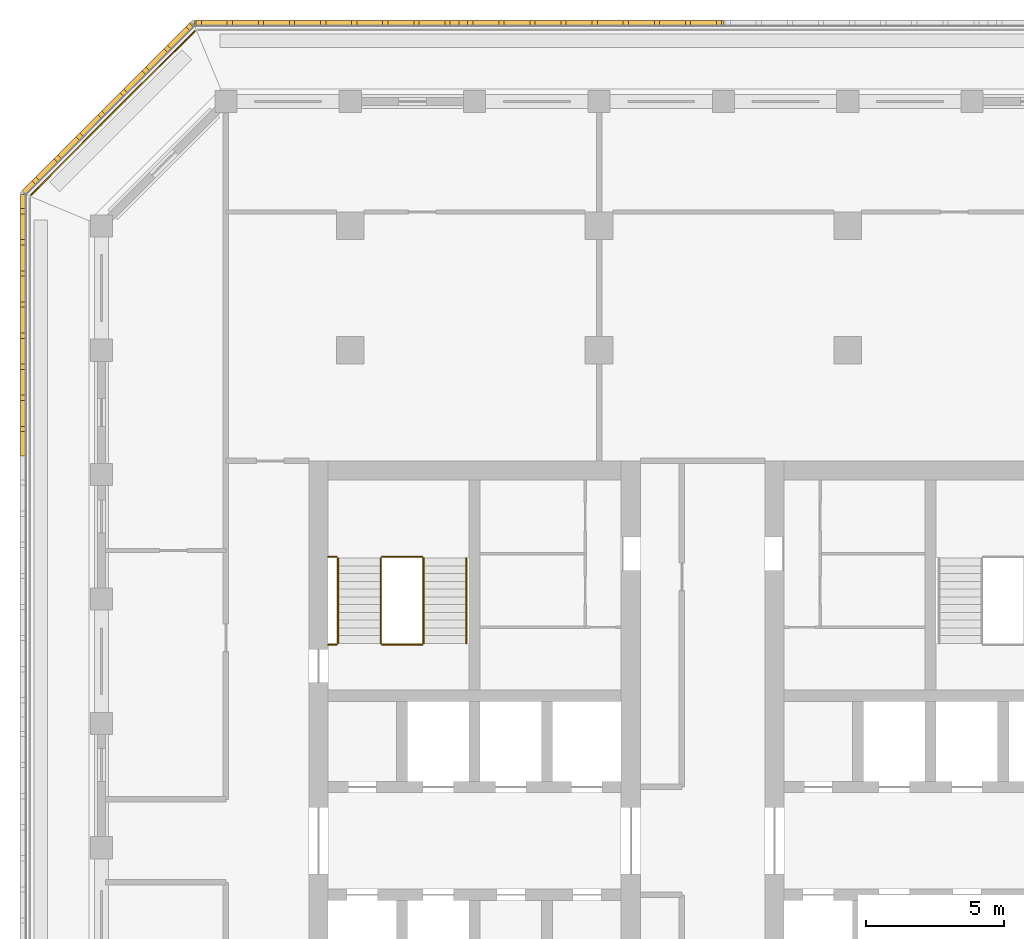
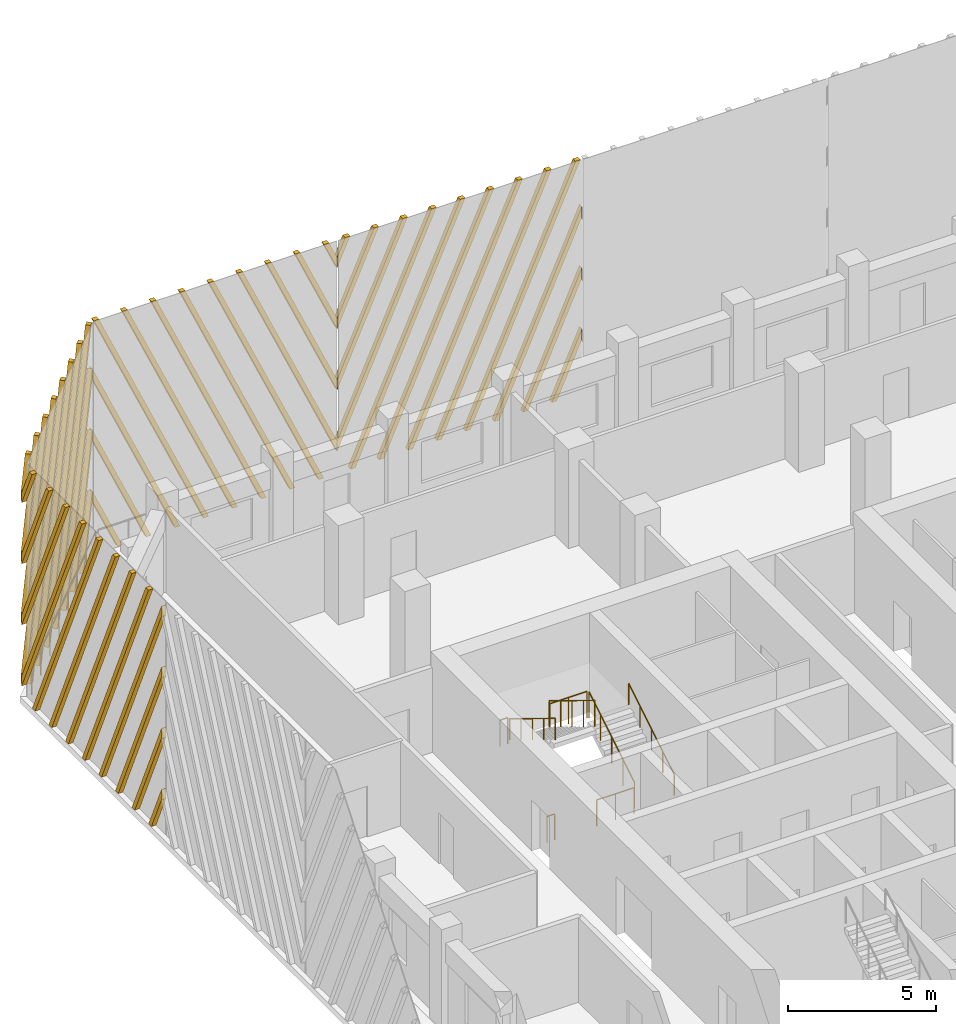
# One storey, part 14 of 17: 9 railings, 4 shading devices.
"""IFC4 building model written with IfcOpenShell, lengths in metres."""

from ifc_helpers import new_model, si_unit, direction, frame, origin, origin_2d, place, context, subcontext, project, spatial, polyline, circle, outline, extrude, source, transform, mapped, material, type_object, element, save


model = new_model("IFC4")

# Units and contexts
model_context = context("Model", 3, precision=1e-05, world=origin(), true_north=direction((0.0, 1.0)))
body_context = subcontext(model_context, "Body", "Model", "MODEL_VIEW")
ifc_project = project(units=[si_unit("LENGTHUNIT", "METRE"), si_unit("AREAUNIT", "SQUARE_METRE"), si_unit("VOLUMEUNIT", "CUBIC_METRE"), si_unit("PLANEANGLEUNIT", "RADIAN"), si_unit("MASSUNIT", "GRAM", prefix="KILO")], contexts=[model_context])

# Site, building, storey
site_placement = place(None, origin())
site = spatial("IfcSite", under=ifc_project, at=site_placement, CompositionType="ELEMENT")
building_placement = place(site_placement, origin())
building = spatial("IfcBuilding", under=site, at=building_placement, Name="Corbel Stack Research Tower", CompositionType="ELEMENT")
storey_placement = place(building_placement, frame((0.0, 0.0, 256.199951171875)))
storey = spatial("IfcBuildingStorey", under=building, at=storey_placement, Name="L58", CompositionType="ELEMENT", Elevation=256.199951171875)

# Railings
ifc_material_1 = material(Name="Steel S355", Category="steel")
railing_type_1 = type_object("IfcRailingType", Name="Stair guard 1100", PredefinedType="GUARDRAIL", material=ifc_material_1)
railing_1_placement = place(storey_placement, frame((-6.35009765625, 11.89990234375, 0.1708984375)))
element("IfcRailing", 1, at=railing_1_placement, inside=storey, type_object=railing_type_1, Name="L58 ST-W2 stair guard 1", PredefinedType="GUARDRAIL", context=body_context, shape_type="SweptSolid", body=[
    extrude(circle(Radius=0.02392578125, at=origin_2d()), frame((0.0, 0.0, 1.076171875), z_axis=(0.0, 0.853666305674, 0.52082035152), x_axis=(-1.0, 0.0, 0.0)), (0.0, 0.0, 1.0), 3.608154296875),
    extrude(circle(Radius=0.02099609375, at=origin_2d()), origin(), (0.0, 0.0, 1.0), 1.052001953125),
    extrude(circle(Radius=0.02099609375, at=origin_2d()), frame((0.0, 0.77001953125, 0.4697265625)), (0.0, 0.0, 1.0), 1.052001953125),
    extrude(circle(Radius=0.02099609375, at=origin_2d()), frame((0.0, 1.5400390625, 0.939453125)), (0.0, 0.0, 1.0), 1.052001953125),
    extrude(circle(Radius=0.02099609375, at=origin_2d()), frame((0.0, 2.31005859375, 1.409423828125)), (0.0, 0.0, 1.0), 1.052001953125),
    extrude(circle(Radius=0.02099609375, at=origin_2d()), frame((0.0, 3.080078125, 1.879150390625)), (0.0, 0.0, 1.0), 1.052001953125),
])
railing_2_placement = place(storey_placement, frame((-6.39990234375, 15.030029296875, 2.050048828125)))
element("IfcRailing", 2, at=railing_2_placement, inside=storey, type_object=railing_type_1, Name="L58 ST-W2 stair guard 2", PredefinedType="GUARDRAIL", context=body_context, shape_type="SweptSolid", body=[
    extrude(circle(Radius=0.02392578125, at=origin_2d()), frame((0.0, 0.0, 1.076171875), z_axis=(-1.0, 0.0, 0.0), x_axis=(0.0, -1.0, 0.0)), (0.0, 0.0, 1.0), 1.4501953125),
    extrude(circle(Radius=0.02099609375, at=origin_2d()), origin(), (0.0, 0.0, 1.0), 1.052001953125),
    extrude(circle(Radius=0.02099609375, at=origin_2d()), frame((-0.72509765625, 0.0, 0.0)), (0.0, 0.0, 1.0), 1.052001953125),
    extrude(circle(Radius=0.02099609375, at=origin_2d()), frame((-1.4501953125, 0.0, 0.0)), (0.0, 0.0, 1.0), 1.052001953125),
])
railing_3_placement = place(storey_placement, frame((-9.5, 15.030029296875, 2.050048828125)))
element("IfcRailing", 3, at=railing_3_placement, inside=storey, type_object=railing_type_1, Name="L58 ST-W2 stair guard 3", PredefinedType="GUARDRAIL", context=body_context, shape_type="SweptSolid", body=[
    extrude(circle(Radius=0.02392578125, at=origin_2d()), frame((0.0, 0.0, 1.076171875), z_axis=(-1.0, 0.0, 0.0), x_axis=(0.0, -1.0, 0.0)), (0.0, 0.0, 1.0), 0.300048828125),
    extrude(circle(Radius=0.02099609375, at=origin_2d()), origin(), (0.0, 0.0, 1.0), 1.052001953125),
    extrude(circle(Radius=0.02099609375, at=origin_2d()), frame((-0.300048828125, 0.0, 0.0)), (0.0, 0.0, 1.0), 1.052001953125),
])
railing_4_placement = place(storey_placement, frame((-7.89990234375, 14.97998046875, 2.220947265625)))
element("IfcRailing", 4, at=railing_4_placement, inside=storey, type_object=railing_type_1, Name="L58 ST-W2 stair guard 4", PredefinedType="GUARDRAIL", context=body_context, shape_type="SweptSolid", body=[
    extrude(circle(Radius=0.02392578125, at=origin_2d()), frame((0.0, 0.0, 1.076171875), z_axis=(0.0, -0.853666305674, 0.52082035152), x_axis=(1.0, 0.0, 0.0)), (0.0, 0.0, 1.0), 3.608154296875),
    extrude(circle(Radius=0.02099609375, at=origin_2d()), origin(), (0.0, 0.0, 1.0), 1.052001953125),
    extrude(circle(Radius=0.02099609375, at=origin_2d()), frame((0.0, -0.77001953125, 0.4697265625)), (0.0, 0.0, 1.0), 1.052001953125),
    extrude(circle(Radius=0.02099609375, at=origin_2d()), frame((0.0, -1.5400390625, 0.939453125)), (0.0, 0.0, 1.0), 1.052001953125),
    extrude(circle(Radius=0.02099609375, at=origin_2d()), frame((0.0, -2.31005859375, 1.409423828125)), (0.0, 0.0, 1.0), 1.052001953125),
    extrude(circle(Radius=0.02099609375, at=origin_2d()), frame((0.0, -3.080078125, 1.879150390625)), (0.0, 0.0, 1.0), 1.052001953125),
])
railing_5_placement = place(storey_placement, frame((-6.39990234375, 11.85009765625, 0.0)))
element("IfcRailing", 5, at=railing_5_placement, inside=storey, type_object=railing_type_1, Name="L58 ST-W2 stair guard 5", PredefinedType="GUARDRAIL", context=body_context, shape_type="SweptSolid", body=[
    extrude(circle(Radius=0.02392578125, at=origin_2d()), frame((0.0, 0.0, 1.076171875), z_axis=(-1.0, 0.0, 0.0), x_axis=(0.0, -1.0, 0.0)), (0.0, 0.0, 1.0), 1.4501953125),
    extrude(circle(Radius=0.02099609375, at=origin_2d()), origin(), (0.0, 0.0, 1.0), 1.052001953125),
    extrude(circle(Radius=0.02099609375, at=origin_2d()), frame((-0.72509765625, 0.0, 0.0)), (0.0, 0.0, 1.0), 1.052001953125),
    extrude(circle(Radius=0.02099609375, at=origin_2d()), frame((-1.4501953125, 0.0, 0.0)), (0.0, 0.0, 1.0), 1.052001953125),
])
railing_6_placement = place(storey_placement, frame((-9.5, 11.85009765625, 0.0)))
element("IfcRailing", 6, at=railing_6_placement, inside=storey, type_object=railing_type_1, Name="L58 ST-W2 stair guard 6", PredefinedType="GUARDRAIL", context=body_context, shape_type="SweptSolid", body=[
    extrude(circle(Radius=0.02392578125, at=origin_2d()), frame((0.0, 0.0, 1.076171875), z_axis=(-1.0, 0.0, 0.0), x_axis=(0.0, -1.0, 0.0)), (0.0, 0.0, 1.0), 0.300048828125),
    extrude(circle(Radius=0.02099609375, at=origin_2d()), origin(), (0.0, 0.0, 1.0), 1.052001953125),
    extrude(circle(Radius=0.02099609375, at=origin_2d()), frame((-0.300048828125, 0.0, 0.0)), (0.0, 0.0, 1.0), 1.052001953125),
])
ifc_material_2 = material(Name="Steel S355", Category="steel")
railing_type_2 = type_object("IfcRailingType", Name="Stair handrail 900", PredefinedType="HANDRAIL", material=ifc_material_2)
railing_7_placement = place(storey_placement, frame((-4.800048828125, 11.89990234375, 0.1708984375)))
element("IfcRailing", 7, at=railing_7_placement, inside=storey, type_object=railing_type_2, Name="L58 ST-W2 stair handrail 1", PredefinedType="HANDRAIL", context=body_context, shape_type="SweptSolid", body=[
    extrude(circle(Radius=0.02392578125, at=origin_2d()), frame((0.0, 0.0, 0.8759765625), z_axis=(0.0, 0.853666305674, 0.52082035152), x_axis=(-1.0, 0.0, 0.0)), (0.0, 0.0, 1.0), 3.608154296875),
    extrude(circle(Radius=0.02099609375, at=origin_2d()), origin(), (0.0, 0.0, 1.0), 0.851806640625),
    extrude(circle(Radius=0.02099609375, at=origin_2d()), frame((0.0, 0.77001953125, 0.4697265625)), (0.0, 0.0, 1.0), 0.851806640625),
    extrude(circle(Radius=0.02099609375, at=origin_2d()), frame((0.0, 1.5400390625, 0.939453125)), (0.0, 0.0, 1.0), 0.851806640625),
    extrude(circle(Radius=0.02099609375, at=origin_2d()), frame((0.0, 2.31005859375, 1.409423828125)), (0.0, 0.0, 1.0), 0.851806640625),
    extrude(circle(Radius=0.02099609375, at=origin_2d()), frame((0.0, 3.080078125, 1.879150390625)), (0.0, 0.0, 1.0), 0.851806640625),
])
railing_8_placement = place(storey_placement, frame((-9.449951171875, 14.97998046875, 2.220947265625)))
element("IfcRailing", 8, at=railing_8_placement, inside=storey, type_object=railing_type_2, Name="L58 ST-W2 stair handrail 2", PredefinedType="HANDRAIL", context=body_context, shape_type="SweptSolid", body=[
    extrude(circle(Radius=0.02392578125, at=origin_2d()), frame((0.0, 0.0, 0.8759765625), z_axis=(0.0, -0.853666305674, 0.52082035152), x_axis=(1.0, 0.0, 0.0)), (0.0, 0.0, 1.0), 3.608154296875),
    extrude(circle(Radius=0.02099609375, at=origin_2d()), origin(), (0.0, 0.0, 1.0), 0.851806640625),
    extrude(circle(Radius=0.02099609375, at=origin_2d()), frame((0.0, -0.77001953125, 0.4697265625)), (0.0, 0.0, 1.0), 0.851806640625),
    extrude(circle(Radius=0.02099609375, at=origin_2d()), frame((0.0, -1.5400390625, 0.939453125)), (0.0, 0.0, 1.0), 0.851806640625),
    extrude(circle(Radius=0.02099609375, at=origin_2d()), frame((0.0, -2.31005859375, 1.409423828125)), (0.0, 0.0, 1.0), 0.851806640625),
    extrude(circle(Radius=0.02099609375, at=origin_2d()), frame((0.0, -3.080078125, 1.879150390625)), (0.0, 0.0, 1.0), 0.851806640625),
])
ifc_material_3 = material(Name="Powder-coated steel guard", Category="steel")
railing_type_3 = type_object("IfcRailingType", Name="Steel and glass guard 1100", PredefinedType="GUARDRAIL", material=ifc_material_3)
railing_9_placement = place(storey_placement, frame((-14.627685546875, 34.04931640625, 0.0)))
element("IfcRailing", 9, at=railing_9_placement, inside=storey, type_object=railing_type_3, Name="Loggia guard L58 NW", PredefinedType="GUARDRAIL", context=body_context, shape_type="SweptSolid", body=[
    extrude(circle(Radius=0.02392578125, at=origin_2d()), frame((0.0, 0.0, 1.076171875), z_axis=(-0.707106781187, -0.707106781187, 0.0), x_axis=(0.707106781187, -0.707106781187, 0.0)), (0.0, 0.0, 1.0), 8.37451171875),
    extrude(circle(Radius=0.02099609375, at=origin_2d()), origin(), (0.0, 0.0, 1.0), 1.052001953125),
    extrude(circle(Radius=0.02099609375, at=origin_2d()), frame((-0.845947265625, -0.845947265625, 0.0)), (0.0, 0.0, 1.0), 1.052001953125),
    extrude(circle(Radius=0.02099609375, at=origin_2d()), frame((-1.69189453125, -1.69189453125, 0.0)), (0.0, 0.0, 1.0), 1.052001953125),
    extrude(circle(Radius=0.02099609375, at=origin_2d()), frame((-2.537841796875, -2.537841796875, 0.0)), (0.0, 0.0, 1.0), 1.052001953125),
    extrude(circle(Radius=0.02099609375, at=origin_2d()), frame((-3.3837890625, -3.3837890625, 0.0)), (0.0, 0.0, 1.0), 1.052001953125),
    extrude(circle(Radius=0.02099609375, at=origin_2d()), frame((-4.229736328125, -4.229736328125, 0.0)), (0.0, 0.0, 1.0), 1.052001953125),
    extrude(circle(Radius=0.02099609375, at=origin_2d()), frame((-5.07568359375, -5.07568359375, 0.0)), (0.0, 0.0, 1.0), 1.052001953125),
    extrude(circle(Radius=0.02099609375, at=origin_2d()), frame((-5.921630859375, -5.921630859375, 0.0)), (0.0, 0.0, 1.0), 1.052001953125),
])

# Shading devices
ifc_material_4 = material(Name="Precast terracotta", Category="masonry")
shading_device_type = type_object("IfcShadingDeviceType", Name="Terracotta screen panel", PredefinedType="USERDEFINED", material=ifc_material_4)
shared_shape_1 = source(origin(), body_context, "Body", "SweptSolid", [
    extrude(outline(polyline([(0.705078125, 9.64990234375), (0.514892578125, 9.64990234375), (0.0, 8.493408203125), (0.0, 8.066650390625), (0.705078125, 9.64990234375)])), frame((0.0, 0.0, 0.0), z_axis=(0.0, -1.0, 0.0), x_axis=(1.0, 0.0, 0.0)), (0.0, 0.0, 1.0), 0.179931640625),
    extrude(outline(polyline([(1.830078125, 9.64990234375), (1.639892578125, 9.64990234375), (0.0, 5.966552734375), (0.0, 5.539794921875), (1.830078125, 9.64990234375)])), frame((0.0, 0.0, 0.0), z_axis=(0.0, -1.0, 0.0), x_axis=(1.0, 0.0, 0.0)), (0.0, 0.0, 1.0), 0.179931640625),
    extrude(outline(polyline([(2.955078125, 9.64990234375), (2.764892578125, 9.64990234375), (0.0, 3.439697265625), (0.0, 3.01318359375), (2.955078125, 9.64990234375)])), frame((0.0, 0.0, 0.0), z_axis=(0.0, -1.0, 0.0), x_axis=(1.0, 0.0, 0.0)), (0.0, 0.0, 1.0), 0.179931640625),
    extrude(outline(polyline([(4.080078125, 9.64990234375), (3.889892578125, 9.64990234375), (0.0, 0.9130859375), (0.0, 0.486328125), (4.080078125, 9.64990234375)])), frame((0.0, 0.0, 0.0), z_axis=(0.0, -1.0, 0.0), x_axis=(1.0, 0.0, 0.0)), (0.0, 0.0, 1.0), 0.179931640625),
    extrude(outline(polyline([(0.908447265625, 0.0), (5.205078125, 9.64990234375), (5.014892578125, 9.64990234375), (0.718505859375, 0.0), (0.908447265625, 0.0)])), frame((0.0, 0.0, 0.0), z_axis=(0.0, -1.0, 0.0), x_axis=(1.0, 0.0, 0.0)), (0.0, 0.0, 1.0), 0.179931640625),
    extrude(outline(polyline([(2.033447265625, 0.0), (6.330078125, 9.64990234375), (6.139892578125, 9.64990234375), (1.843505859375, 0.0), (2.033447265625, 0.0)])), frame((0.0, 0.0, 0.0), z_axis=(0.0, -1.0, 0.0), x_axis=(1.0, 0.0, 0.0)), (0.0, 0.0, 1.0), 0.179931640625),
    extrude(outline(polyline([(3.158447265625, 0.0), (7.455078125, 9.64990234375), (7.264892578125, 9.64990234375), (2.968505859375, 0.0), (3.158447265625, 0.0)])), frame((0.0, 0.0, 0.0), z_axis=(0.0, -1.0, 0.0), x_axis=(1.0, 0.0, 0.0)), (0.0, 0.0, 1.0), 0.179931640625),
    extrude(outline(polyline([(4.283447265625, 0.0), (8.580078125, 9.64990234375), (8.389892578125, 9.64990234375), (4.093505859375, 0.0), (4.283447265625, 0.0)])), frame((0.0, 0.0, 0.0), z_axis=(0.0, -1.0, 0.0), x_axis=(1.0, 0.0, 0.0)), (0.0, 0.0, 1.0), 0.179931640625),
    extrude(outline(polyline([(5.408447265625, 0.0), (9.45556640625, 9.090087890625), (9.45556640625, 9.516845703125), (5.218505859375, 0.0), (5.408447265625, 0.0)])), frame((0.0, 0.0, 0.0), z_axis=(0.0, -1.0, 0.0), x_axis=(1.0, 0.0, 0.0)), (0.0, 0.0, 1.0), 0.179931640625),
    extrude(outline(polyline([(6.533447265625, 0.0), (9.45556640625, 6.563232421875), (9.45556640625, 6.989990234375), (6.343505859375, 0.0), (6.533447265625, 0.0)])), frame((0.0, 0.0, 0.0), z_axis=(0.0, -1.0, 0.0), x_axis=(1.0, 0.0, 0.0)), (0.0, 0.0, 1.0), 0.179931640625),
    extrude(outline(polyline([(7.658447265625, 0.0), (9.45556640625, 4.036376953125), (9.45556640625, 4.463134765625), (7.468505859375, 0.0), (7.658447265625, 0.0)])), frame((0.0, 0.0, 0.0), z_axis=(0.0, -1.0, 0.0), x_axis=(1.0, 0.0, 0.0)), (0.0, 0.0, 1.0), 0.179931640625),
    extrude(outline(polyline([(8.783447265625, 0.0), (9.45556640625, 1.509521484375), (9.45556640625, 1.936279296875), (8.593505859375, 0.0), (8.783447265625, 0.0)])), frame((0.0, 0.0, 0.0), z_axis=(0.0, -1.0, 0.0), x_axis=(1.0, 0.0, 0.0)), (0.0, 0.0, 1.0), 0.179931640625),
])
shading_device_1_placement = place(storey_placement, frame((-20.75, 28.13916015625, 0.0), z_axis=(0.0, 0.0, 1.0), x_axis=(0.0, -1.0, 0.0)))
element("IfcShadingDevice", 10, at=shading_device_1_placement, inside=storey, type_object=shading_device_type, Name="Terracotta screen L58 W1", ObjectType="SCREEN", PredefinedType="USERDEFINED", context=body_context, shape_type="MappedRepresentation", body=[
    mapped(shared_shape_1, transform((0.0, 0.0, 0.0))),
])
shared_shape_2 = source(origin(), body_context, "Body", "SweptSolid", [
    extrude(outline(polyline([(1.173583984375, 0.0), (0.0, 2.635986328125), (0.0, 2.209228515625), (0.983642578125, 0.0), (1.173583984375, 0.0)])), frame((0.0, 0.0, 0.0), z_axis=(0.0, -1.0, 0.0), x_axis=(1.0, 0.0, 0.0)), (0.0, 0.0, 1.0), 0.179931640625),
    extrude(outline(polyline([(2.298583984375, 0.0), (0.0, 5.162841796875), (0.0, 4.736083984375), (2.108642578125, 0.0), (2.298583984375, 0.0)])), frame((0.0, 0.0, 0.0), z_axis=(0.0, -1.0, 0.0), x_axis=(1.0, 0.0, 0.0)), (0.0, 0.0, 1.0), 0.179931640625),
    extrude(outline(polyline([(3.423583984375, 0.0), (0.0, 7.689697265625), (0.0, 7.262939453125), (3.233642578125, 0.0), (3.423583984375, 0.0)])), frame((0.0, 0.0, 0.0), z_axis=(0.0, -1.0, 0.0), x_axis=(1.0, 0.0, 0.0)), (0.0, 0.0, 1.0), 0.179931640625),
    extrude(outline(polyline([(4.548583984375, 0.0), (0.252197265625, 9.64990234375), (0.062255859375, 9.64990234375), (4.358642578125, 0.0), (4.548583984375, 0.0)])), frame((0.0, 0.0, 0.0), z_axis=(0.0, -1.0, 0.0), x_axis=(1.0, 0.0, 0.0)), (0.0, 0.0, 1.0), 0.179931640625),
    extrude(outline(polyline([(5.673583984375, 0.0), (1.377197265625, 9.64990234375), (1.187255859375, 9.64990234375), (5.483642578125, 0.0), (5.673583984375, 0.0)])), frame((0.0, 0.0, 0.0), z_axis=(0.0, -1.0, 0.0), x_axis=(1.0, 0.0, 0.0)), (0.0, 0.0, 1.0), 0.179931640625),
    extrude(outline(polyline([(6.798583984375, 0.0), (2.502197265625, 9.64990234375), (2.312255859375, 9.64990234375), (6.608642578125, 0.0), (6.798583984375, 0.0)])), frame((0.0, 0.0, 0.0), z_axis=(0.0, -1.0, 0.0), x_axis=(1.0, 0.0, 0.0)), (0.0, 0.0, 1.0), 0.179931640625),
    extrude(outline(polyline([(7.923583984375, 0.0), (3.627197265625, 9.64990234375), (3.437255859375, 9.64990234375), (7.733642578125, 0.0), (7.923583984375, 0.0)])), frame((0.0, 0.0, 0.0), z_axis=(0.0, -1.0, 0.0), x_axis=(1.0, 0.0, 0.0)), (0.0, 0.0, 1.0), 0.179931640625),
    extrude(outline(polyline([(9.048583984375, 0.0), (4.752197265625, 9.64990234375), (4.562255859375, 9.64990234375), (8.858642578125, 0.0), (9.048583984375, 0.0)])), frame((0.0, 0.0, 0.0), z_axis=(0.0, -1.0, 0.0), x_axis=(1.0, 0.0, 0.0)), (0.0, 0.0, 1.0), 0.179931640625),
    extrude(outline(polyline([(5.877197265625, 9.64990234375), (5.687255859375, 9.64990234375), (9.569580078125, 0.93017578125), (9.569580078125, 1.356689453125), (5.877197265625, 9.64990234375)])), frame((0.0, 0.0, 0.0), z_axis=(0.0, -1.0, 0.0), x_axis=(1.0, 0.0, 0.0)), (0.0, 0.0, 1.0), 0.179931640625),
    extrude(outline(polyline([(7.002197265625, 9.64990234375), (6.812255859375, 9.64990234375), (9.569580078125, 3.456787109375), (9.569580078125, 3.883544921875), (7.002197265625, 9.64990234375)])), frame((0.0, 0.0, 0.0), z_axis=(0.0, -1.0, 0.0), x_axis=(1.0, 0.0, 0.0)), (0.0, 0.0, 1.0), 0.179931640625),
    extrude(outline(polyline([(8.127197265625, 9.64990234375), (7.937255859375, 9.64990234375), (9.569580078125, 5.983642578125), (9.569580078125, 6.410400390625), (8.127197265625, 9.64990234375)])), frame((0.0, 0.0, 0.0), z_axis=(0.0, -1.0, 0.0), x_axis=(1.0, 0.0, 0.0)), (0.0, 0.0, 1.0), 0.179931640625),
    extrude(outline(polyline([(9.252197265625, 9.64990234375), (9.062255859375, 9.64990234375), (9.569580078125, 8.510498046875), (9.569580078125, 8.937255859375), (9.252197265625, 9.64990234375)])), frame((0.0, 0.0, 0.0), z_axis=(0.0, -1.0, 0.0), x_axis=(1.0, 0.0, 0.0)), (0.0, 0.0, 1.0), 0.179931640625),
])
shading_device_2_placement = place(storey_placement, frame((4.5, 34.25, 0.0), z_axis=(0.0, 0.0, 1.0), x_axis=(-1.0, 0.0, 0.0)))
element("IfcShadingDevice", 11, at=shading_device_2_placement, inside=storey, type_object=shading_device_type, Name="Terracotta screen L58 N3", ObjectType="SCREEN", PredefinedType="USERDEFINED", context=body_context, shape_type="MappedRepresentation", body=[
    mapped(shared_shape_2, transform((0.0, 0.0, 0.0))),
])
shared_shape_3 = source(origin(), body_context, "Body", "SweptSolid", [
    extrude(outline(polyline([(0.50732421875, 9.64990234375), (0.3173828125, 9.64990234375), (0.0, 8.937255859375), (0.0, 8.510498046875), (0.50732421875, 9.64990234375)])), frame((0.0, 0.0, 0.0), z_axis=(0.0, -1.0, 0.0), x_axis=(1.0, 0.0, 0.0)), (0.0, 0.0, 1.0), 0.179931640625),
    extrude(outline(polyline([(1.63232421875, 9.64990234375), (1.4423828125, 9.64990234375), (0.0, 6.410400390625), (0.0, 5.983642578125), (1.63232421875, 9.64990234375)])), frame((0.0, 0.0, 0.0), z_axis=(0.0, -1.0, 0.0), x_axis=(1.0, 0.0, 0.0)), (0.0, 0.0, 1.0), 0.179931640625),
    extrude(outline(polyline([(2.75732421875, 9.64990234375), (2.5673828125, 9.64990234375), (0.0, 3.883544921875), (0.0, 3.456787109375), (2.75732421875, 9.64990234375)])), frame((0.0, 0.0, 0.0), z_axis=(0.0, -1.0, 0.0), x_axis=(1.0, 0.0, 0.0)), (0.0, 0.0, 1.0), 0.179931640625),
    extrude(outline(polyline([(3.88232421875, 9.64990234375), (3.6923828125, 9.64990234375), (0.0, 1.356689453125), (0.0, 0.93017578125), (3.88232421875, 9.64990234375)])), frame((0.0, 0.0, 0.0), z_axis=(0.0, -1.0, 0.0), x_axis=(1.0, 0.0, 0.0)), (0.0, 0.0, 1.0), 0.179931640625),
    extrude(outline(polyline([(0.7109375, 0.0), (5.00732421875, 9.64990234375), (4.8173828125, 9.64990234375), (0.52099609375, 0.0), (0.7109375, 0.0)])), frame((0.0, 0.0, 0.0), z_axis=(0.0, -1.0, 0.0), x_axis=(1.0, 0.0, 0.0)), (0.0, 0.0, 1.0), 0.179931640625),
    extrude(outline(polyline([(1.8359375, 0.0), (6.13232421875, 9.64990234375), (5.9423828125, 9.64990234375), (1.64599609375, 0.0), (1.8359375, 0.0)])), frame((0.0, 0.0, 0.0), z_axis=(0.0, -1.0, 0.0), x_axis=(1.0, 0.0, 0.0)), (0.0, 0.0, 1.0), 0.179931640625),
    extrude(outline(polyline([(2.9609375, 0.0), (7.25732421875, 9.64990234375), (7.0673828125, 9.64990234375), (2.77099609375, 0.0), (2.9609375, 0.0)])), frame((0.0, 0.0, 0.0), z_axis=(0.0, -1.0, 0.0), x_axis=(1.0, 0.0, 0.0)), (0.0, 0.0, 1.0), 0.179931640625),
    extrude(outline(polyline([(4.0859375, 0.0), (8.38232421875, 9.64990234375), (8.1923828125, 9.64990234375), (3.89599609375, 0.0), (4.0859375, 0.0)])), frame((0.0, 0.0, 0.0), z_axis=(0.0, -1.0, 0.0), x_axis=(1.0, 0.0, 0.0)), (0.0, 0.0, 1.0), 0.179931640625),
    extrude(outline(polyline([(5.2109375, 0.0), (9.50732421875, 9.64990234375), (9.3173828125, 9.64990234375), (5.02099609375, 0.0), (5.2109375, 0.0)])), frame((0.0, 0.0, 0.0), z_axis=(0.0, -1.0, 0.0), x_axis=(1.0, 0.0, 0.0)), (0.0, 0.0, 1.0), 0.179931640625),
    extrude(outline(polyline([(6.3359375, 0.0), (9.569580078125, 7.262939453125), (9.569580078125, 7.689697265625), (6.14599609375, 0.0), (6.3359375, 0.0)])), frame((0.0, 0.0, 0.0), z_axis=(0.0, -1.0, 0.0), x_axis=(1.0, 0.0, 0.0)), (0.0, 0.0, 1.0), 0.179931640625),
    extrude(outline(polyline([(7.4609375, 0.0), (9.569580078125, 4.736083984375), (9.569580078125, 5.162841796875), (7.27099609375, 0.0), (7.4609375, 0.0)])), frame((0.0, 0.0, 0.0), z_axis=(0.0, -1.0, 0.0), x_axis=(1.0, 0.0, 0.0)), (0.0, 0.0, 1.0), 0.179931640625),
    extrude(outline(polyline([(8.5859375, 0.0), (9.569580078125, 2.209228515625), (9.569580078125, 2.635986328125), (8.39599609375, 0.0), (8.5859375, 0.0)])), frame((0.0, 0.0, 0.0), z_axis=(0.0, -1.0, 0.0), x_axis=(1.0, 0.0, 0.0)), (0.0, 0.0, 1.0), 0.179931640625),
])
shading_device_3_placement = place(storey_placement, frame((-5.069580078125, 34.25, 0.0), z_axis=(0.0, 0.0, 1.0), x_axis=(-1.0, 0.0, 0.0)))
element("IfcShadingDevice", 12, at=shading_device_3_placement, inside=storey, type_object=shading_device_type, Name="Terracotta screen L58 N4", ObjectType="SCREEN", PredefinedType="USERDEFINED", context=body_context, shape_type="MappedRepresentation", body=[
    mapped(shared_shape_3, transform((0.0, 0.0, 0.0))),
])
shared_shape_4 = source(origin(), body_context, "Body", "SweptSolid", [
    extrude(outline(polyline([(1.173583984375, 0.0), (0.0, 2.635986328125), (0.0, 2.209228515625), (0.983642578125, 0.0), (1.173583984375, 0.0)])), frame((0.0, 0.0, 0.0), z_axis=(0.0, -1.0, 0.0), x_axis=(1.0, 0.0, 0.0)), (0.0, 0.0, 1.0), 0.179931640625),
    extrude(outline(polyline([(2.298583984375, 0.0), (0.0, 5.162841796875), (0.0, 4.736083984375), (2.108642578125, 0.0), (2.298583984375, 0.0)])), frame((0.0, 0.0, 0.0), z_axis=(0.0, -1.0, 0.0), x_axis=(1.0, 0.0, 0.0)), (0.0, 0.0, 1.0), 0.179931640625),
    extrude(outline(polyline([(3.423583984375, 0.0), (0.0, 7.689697265625), (0.0, 7.262939453125), (3.233642578125, 0.0), (3.423583984375, 0.0)])), frame((0.0, 0.0, 0.0), z_axis=(0.0, -1.0, 0.0), x_axis=(1.0, 0.0, 0.0)), (0.0, 0.0, 1.0), 0.179931640625),
    extrude(outline(polyline([(4.548583984375, 0.0), (0.252197265625, 9.64990234375), (0.062255859375, 9.64990234375), (4.358642578125, 0.0), (4.548583984375, 0.0)])), frame((0.0, 0.0, 0.0), z_axis=(0.0, -1.0, 0.0), x_axis=(1.0, 0.0, 0.0)), (0.0, 0.0, 1.0), 0.179931640625),
    extrude(outline(polyline([(5.673583984375, 0.0), (1.377197265625, 9.64990234375), (1.187255859375, 9.64990234375), (5.483642578125, 0.0), (5.673583984375, 0.0)])), frame((0.0, 0.0, 0.0), z_axis=(0.0, -1.0, 0.0), x_axis=(1.0, 0.0, 0.0)), (0.0, 0.0, 1.0), 0.179931640625),
    extrude(outline(polyline([(6.798583984375, 0.0), (2.502197265625, 9.64990234375), (2.312255859375, 9.64990234375), (6.608642578125, 0.0), (6.798583984375, 0.0)])), frame((0.0, 0.0, 0.0), z_axis=(0.0, -1.0, 0.0), x_axis=(1.0, 0.0, 0.0)), (0.0, 0.0, 1.0), 0.179931640625),
    extrude(outline(polyline([(7.923583984375, 0.0), (3.627197265625, 9.64990234375), (3.437255859375, 9.64990234375), (7.733642578125, 0.0), (7.923583984375, 0.0)])), frame((0.0, 0.0, 0.0), z_axis=(0.0, -1.0, 0.0), x_axis=(1.0, 0.0, 0.0)), (0.0, 0.0, 1.0), 0.179931640625),
    extrude(outline(polyline([(4.752197265625, 9.64990234375), (4.562255859375, 9.64990234375), (8.64208984375, 0.486328125), (8.64208984375, 0.9130859375), (4.752197265625, 9.64990234375)])), frame((0.0, 0.0, 0.0), z_axis=(0.0, -1.0, 0.0), x_axis=(1.0, 0.0, 0.0)), (0.0, 0.0, 1.0), 0.179931640625),
    extrude(outline(polyline([(5.877197265625, 9.64990234375), (5.687255859375, 9.64990234375), (8.64208984375, 3.01318359375), (8.64208984375, 3.439697265625), (5.877197265625, 9.64990234375)])), frame((0.0, 0.0, 0.0), z_axis=(0.0, -1.0, 0.0), x_axis=(1.0, 0.0, 0.0)), (0.0, 0.0, 1.0), 0.179931640625),
    extrude(outline(polyline([(7.002197265625, 9.64990234375), (6.812255859375, 9.64990234375), (8.64208984375, 5.539794921875), (8.64208984375, 5.966552734375), (7.002197265625, 9.64990234375)])), frame((0.0, 0.0, 0.0), z_axis=(0.0, -1.0, 0.0), x_axis=(1.0, 0.0, 0.0)), (0.0, 0.0, 1.0), 0.179931640625),
    extrude(outline(polyline([(8.127197265625, 9.64990234375), (7.937255859375, 9.64990234375), (8.64208984375, 8.066650390625), (8.64208984375, 8.493408203125), (8.127197265625, 9.64990234375)])), frame((0.0, 0.0, 0.0), z_axis=(0.0, -1.0, 0.0), x_axis=(1.0, 0.0, 0.0)), (0.0, 0.0, 1.0), 0.179931640625),
])
shading_device_4_placement = place(storey_placement, frame((-14.63916015625, 34.25, 0.0), z_axis=(0.0, 0.0, 1.0), x_axis=(-0.707106781187, -0.707106781187, 0.0)))
element("IfcShadingDevice", 13, at=shading_device_4_placement, inside=storey, type_object=shading_device_type, Name="Terracotta screen L58 NW1", ObjectType="SCREEN", PredefinedType="USERDEFINED", context=body_context, shape_type="MappedRepresentation", body=[
    mapped(shared_shape_4, transform((0.0, 0.0, 0.0))),
])

save(model, "model.ifc")
